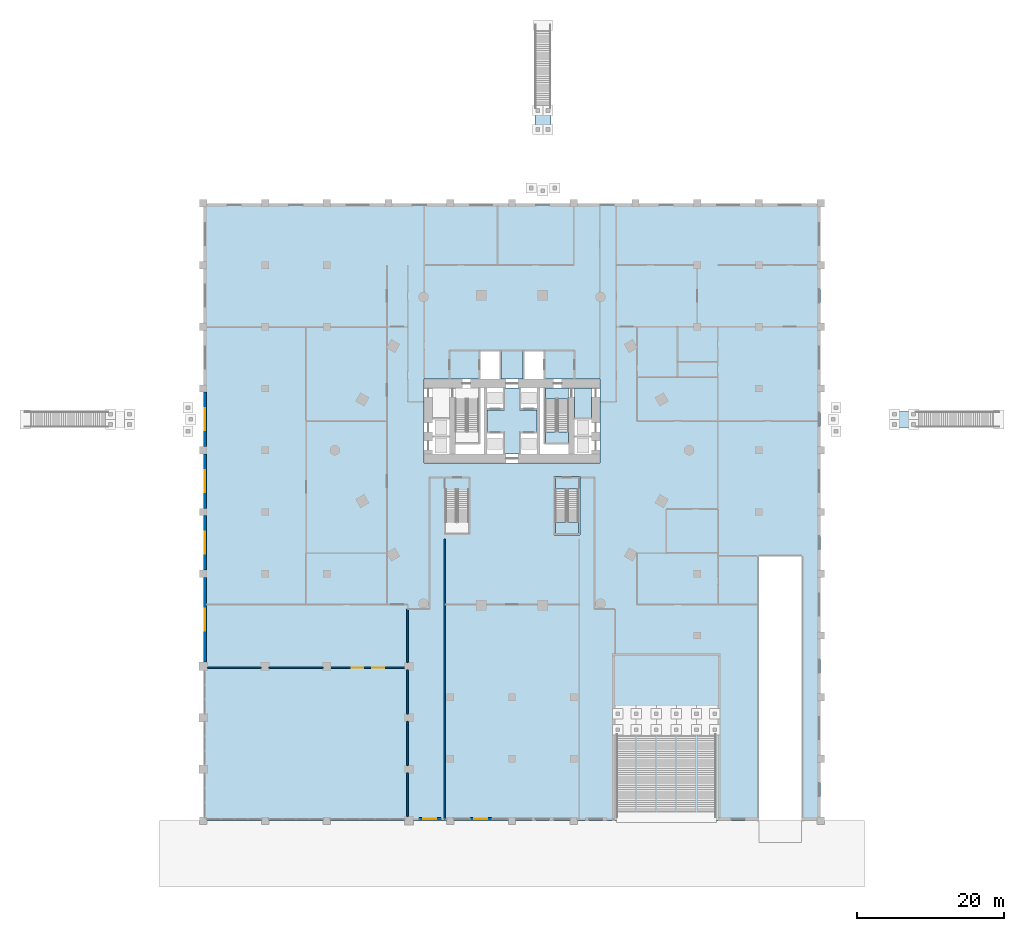
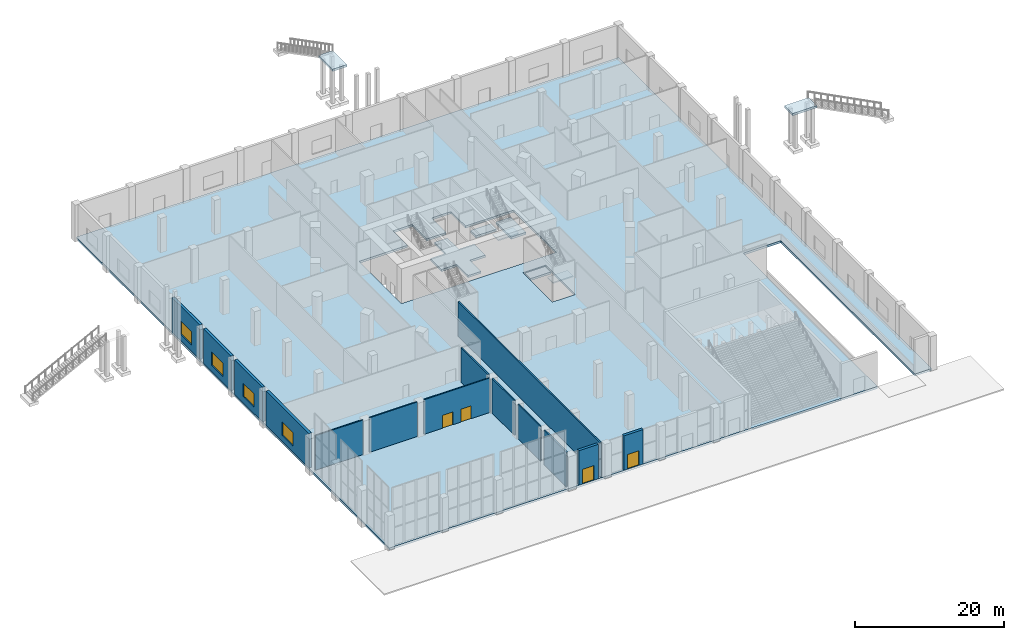
# One storey, part 12 of 25: 14 walls, 9 slabs, 4 doors, 4 windows, 8 openings, 4 elements without a shape of their own.
"""IFC4 building model written with IfcOpenShell, lengths in metres."""

from ifc_helpers import new_model, si_unit, direction, frame, frame_2d, origin, place, context, subcontext, project, spatial, polyline, rectangle, outline, extrude, material, layer, layer_set, type_object, element, fill, aggregate, save


model = new_model("IFC4")

# Units and contexts
model_context = context("Model", 3, precision=1e-05, world=origin(), true_north=direction((0.0, 1.0)))
body_context = subcontext(model_context, "Body", "Model", "MODEL_VIEW")
ifc_project = project(units=[si_unit("LENGTHUNIT", "METRE"), si_unit("AREAUNIT", "SQUARE_METRE"), si_unit("VOLUMEUNIT", "CUBIC_METRE"), si_unit("PLANEANGLEUNIT", "RADIAN"), si_unit("MASSUNIT", "GRAM", prefix="KILO")], contexts=[model_context])

# Site, building, storey
site_placement = place(None, origin())
site = spatial("IfcSite", under=ifc_project, at=site_placement, CompositionType="ELEMENT")
building_placement = place(site_placement, origin())
building = spatial("IfcBuilding", under=site, at=building_placement, Name="Ostrander Bayou Hotel Tower", CompositionType="ELEMENT")
storey_placement = place(building_placement, origin())
storey = spatial("IfcBuildingStorey", under=building, at=storey_placement, Name="L00", CompositionType="ELEMENT", Elevation=0.0)

# Slab
ifc_material_1 = material(Name="Concrete f'c 45 MPa", Category="concrete")
ifc_layer_1 = layer(ifc_material_1, 0.35009765625)
ifc_layer_set_1 = layer_set([ifc_layer_1], Name="SL2 post-tensioned flat plate 350 mm f'c 45 MPa")
slab_type_1 = type_object("IfcSlabType", Name="SL2 post-tensioned flat plate 350 mm f'c 45 MPa", PredefinedType="FLOOR", material=ifc_layer_set_1)
slab_1_placement = place(storey_placement, frame((0.0, 0.0, -0.35009765625)))
element("IfcSlab", 1, at=slab_1_placement, inside=storey, type_object=slab_type_1, Name="SL2 L00 1", PredefinedType="FLOOR", context=body_context, shape_type="SweptSolid", body=[
    extrude(outline(polyline([(42.0, 33.60009765625), (42.0, -50.39990234375), (39.39990234375, -50.39990234375), (39.39990234375, -14.39990234375), (33.60009765625, -14.39990234375), (33.60009765625, -50.39990234375), (-42.0, -50.39990234375), (-42.0, 33.60009765625), (42.0, 33.60009765625)]), holes=[polyline([(4.5, 13.60009765625), (1.5, 13.60009765625), (1.5, 9.699951171875), (-1.5, 9.699951171875), (-1.5, 13.60009765625), (-4.5, 13.60009765625), (-4.5, 9.699951171875), (-12.0, 9.699951171875), (-12.0, -1.699951171875), (12.0, -1.699951171875), (12.0, 9.699951171875), (4.5, 9.699951171875), (4.5, 13.60009765625)]), polyline([(5.699951171875, -11.5), (9.25, -11.5), (9.25, -3.60009765625), (5.699951171875, -3.60009765625), (5.699951171875, -11.5)])]), origin(), (0.0, 0.0, 1.0), 0.35009765625),
])

# Stair, slab
ifc_material_2 = material(Name="Concrete f'c 45 MPa", Category="concrete")
stair_type_1 = type_object("IfcStairType", Name="ST1 exit stair 1500 mm f'c 45 MPa", PredefinedType="HALF_TURN_STAIR", material=ifc_material_2)
stair_1_placement = place(storey_placement, origin())
stair_1 = element("IfcStair", 2, at=stair_1_placement, inside=storey, type_object=stair_type_1, Name="L00 exit stair B", PredefinedType="HALF_TURN_STAIR")
ifc_material_3 = material(Name="Concrete f'c 45 MPa", Category="concrete")
ifc_layer_2 = layer(ifc_material_3, 0.199951171875)
ifc_layer_set_2 = layer_set([ifc_layer_2], Name="SL8 stair landing 200 mm f'c 45 MPa")
slab_type_2 = type_object("IfcSlabType", Name="SL8 stair landing 200 mm f'c 45 MPa", PredefinedType="LANDING", material=ifc_layer_set_2)
slab_2_placement = place(storey_placement, frame((0.0, 0.0, 2.800048828125)))
slab_2 = element("IfcSlab", 3, at=slab_2_placement, type_object=slab_type_2, Name="STB landing 1", PredefinedType="LANDING", context=body_context, shape_type="SweptSolid", body=[
    extrude(outline(polyline([(4.550048828125, 2.52001953125), (4.550048828125, 1.0), (7.699951171875, 1.0), (7.699951171875, 2.52001953125), (4.550048828125, 2.52001953125)])), origin(), (0.0, 0.0, 1.0), 0.199951171875),
])
aggregate(stair_1, [slab_2])

stair_2_placement = place(storey_placement, origin())
stair_2 = element("IfcStair", 4, at=stair_2_placement, inside=storey, type_object=stair_type_1, Name="L00 exit stair C", PredefinedType="HALF_TURN_STAIR")
slab_3_placement = place(storey_placement, frame((0.0, 0.0, 2.800048828125)))
slab_3 = element("IfcSlab", 5, at=slab_3_placement, type_object=slab_type_2, Name="STC landing 1", PredefinedType="LANDING", context=body_context, shape_type="SweptSolid", body=[
    extrude(outline(polyline([(5.89990234375, -9.780029296875), (5.89990234375, -11.300048828125), (9.050048828125, -11.300048828125), (9.050048828125, -9.780029296875), (5.89990234375, -9.780029296875)])), origin(), (0.0, 0.0, 1.0), 0.199951171875),
])
aggregate(stair_2, [slab_3])

# Slabs
ifc_material_4 = material(Name="Concrete f'c 45 MPa", Category="concrete")
ifc_layer_3 = layer(ifc_material_4, 0.35009765625)
ifc_layer_set_3 = layer_set([ifc_layer_3], Name="SL9 podium core floor slab 350 mm f'c 45 MPa")
slab_type_3 = type_object("IfcSlabType", Name="SL9 podium core floor slab 350 mm f'c 45 MPa", PredefinedType="FLOOR", material=ifc_layer_set_3)
slab_4_placement = place(storey_placement, frame((0.0, 0.0, -0.35009765625)))
element("IfcSlab", 6, at=slab_4_placement, inside=storey, type_object=slab_type_3, Name="cslab:L00:001", PredefinedType="FLOOR", context=body_context, shape_type="SweptSolid", body=[
    extrude(outline(polyline([(-3.39990234375, 5.5), (-1.0, 5.5), (-1.0, 8.5), (1.0, 8.5), (1.0, 5.5), (3.39990234375, 5.5), (3.39990234375, 2.5), (1.0, 2.5), (1.0, -0.5), (-1.0, -0.5), (-1.0, 2.5), (-3.39990234375, 2.5), (-3.39990234375, 5.5)])), origin(), (0.0, 0.0, 1.0), 0.35009765625),
])
slab_5_placement = place(storey_placement, frame((0.0, 0.0, -0.35009765625)))
element("IfcSlab", 7, at=slab_5_placement, inside=storey, type_object=slab_type_3, Name="cslab:L00:003", PredefinedType="FLOOR", context=body_context, shape_type="SweptSolid", body=[
    extrude(outline(polyline([(10.800048828125, 4.39990234375), (10.800048828125, 8.5), (8.5, 8.5), (8.5, 4.39990234375), (10.800048828125, 4.39990234375)])), origin(), (0.0, 0.0, 1.0), 0.35009765625),
])
slab_6_placement = place(storey_placement, frame((0.0, 0.0, -0.35009765625)))
element("IfcSlab", 8, at=slab_6_placement, inside=storey, type_object=slab_type_3, Name="cslab:L00:005", PredefinedType="FLOOR", context=body_context, shape_type="SweptSolid", body=[
    extrude(outline(polyline([(7.699951171875, 7.0), (7.699951171875, 8.5), (4.550048828125, 8.5), (4.550048828125, 7.0), (7.699951171875, 7.0)])), origin(), (0.0, 0.0, 1.0), 0.35009765625),
])
slab_7_placement = place(storey_placement, frame((0.0, 0.0, -0.35009765625)))
element("IfcSlab", 9, at=slab_7_placement, inside=storey, type_object=slab_type_3, Name="cslab:L00:006", PredefinedType="FLOOR", context=body_context, shape_type="SweptSolid", body=[
    extrude(outline(polyline([(9.050048828125, -5.300048828125), (9.050048828125, -3.800048828125), (5.89990234375, -3.800048828125), (5.89990234375, -5.300048828125), (9.050048828125, -5.300048828125)])), origin(), (0.0, 0.0, 1.0), 0.35009765625),
])

# Stair, slab
ifc_material_5 = material(Name="Concrete f'c 40 MPa", Category="concrete")
stair_type_2 = type_object("IfcStairType", Name="ST11 deck stair 2200 mm", PredefinedType="STRAIGHT_RUN_STAIR", material=ifc_material_5)
stair_3_placement = place(storey_placement, origin())
stair_3 = element("IfcStair", 10, at=stair_3_placement, inside=storey, type_object=stair_type_2, Name="ST11 deck stair E", PredefinedType="STRAIGHT_RUN_STAIR")
ifc_material_6 = material(Name="Concrete f'c 40 MPa", Category="concrete")
ifc_layer_4 = layer(ifc_material_6, 0.35009765625)
ifc_layer_set_4 = layer_set([ifc_layer_4], Name="ST11 stair landing 350 mm")
slab_type_4 = type_object("IfcSlabType", Name="ST11 stair landing 350 mm", PredefinedType="LANDING", material=ifc_layer_set_4)
slab_8_placement = place(storey_placement, frame((0.0, 0.0, 5.64990234375)))
slab_8 = element("IfcSlab", 11, at=slab_8_placement, type_object=slab_type_4, Name="ST11 landing 1", PredefinedType="LANDING", context=body_context, shape_type="SweptSolid", body=[
    extrude(outline(polyline([(51.340087890625, 3.10009765625), (51.340087890625, 5.300048828125), (55.139892578125, 5.300048828125), (55.139892578125, 3.10009765625), (51.340087890625, 3.10009765625)])), origin(), (0.0, 0.0, 1.0), 0.35009765625),
])
aggregate(stair_3, [slab_8])

stair_4_placement = place(storey_placement, origin())
stair_4 = element("IfcStair", 12, at=stair_4_placement, inside=storey, type_object=stair_type_2, Name="ST11 deck stair N", PredefinedType="STRAIGHT_RUN_STAIR")
slab_9_placement = place(storey_placement, frame((0.0, 0.0, 5.64990234375)))
slab_9 = element("IfcSlab", 13, at=slab_9_placement, type_object=slab_type_4, Name="ST11 landing 1", PredefinedType="LANDING", context=body_context, shape_type="SweptSolid", body=[
    extrude(outline(polyline([(5.300048828125, 42.93994140625), (3.10009765625, 42.93994140625), (3.10009765625, 46.739990234375), (5.300048828125, 46.739990234375), (5.300048828125, 42.93994140625)])), origin(), (0.0, 0.0, 1.0), 0.35009765625),
])
aggregate(stair_4, [slab_9])

# Walls
ifc_material_7 = material(Name="Gypsum board partition", Category="finish")
ifc_layer_5 = layer(ifc_material_7, 0.175048828125)
ifc_layer_set_5 = layer_set([ifc_layer_5], Name="PT4 corridor wall 175 mm, 1 hour")
wall_type_1 = type_object("IfcWallType", Name="PT4 corridor wall 175 mm, 1 hour", PredefinedType="PARTITIONING", material=ifc_layer_set_5)
wall_1_placement = place(storey_placement, frame((-41.5, -29.60009765625, 0.0), z_axis=(0.0, 0.0, 1.0), x_axis=(1.0, 0.0, 0.0)))
element("IfcWall", 14, at=wall_1_placement, inside=storey, type_object=wall_type_1, Name="sw:L00:001", PredefinedType="PARTITIONING", context=body_context, shape_type="SweptSolid", body=[
    extrude(rectangle(XDim=7.39990234375, YDim=0.175048828125, at=frame_2d((3.699951171875, 0.0))), origin(), (0.0, 0.0, 1.0), 5.64990234375),
])
wall_2_placement = place(storey_placement, frame((-33.10009765625, -29.60009765625, 0.0), z_axis=(0.0, 0.0, 1.0), x_axis=(1.0, 0.0, 0.0)))
element("IfcWall", 15, at=wall_2_placement, inside=storey, type_object=wall_type_1, Name="sw:L00:002", PredefinedType="PARTITIONING", context=body_context, shape_type="SweptSolid", body=[
    extrude(rectangle(XDim=7.400146484375, YDim=0.175048828125, at=frame_2d((3.7001953125, 0.0))), origin(), (0.0, 0.0, 1.0), 5.64990234375),
])

# Wall, openings, doors
wall_3_placement = place(storey_placement, frame((-24.699951171875, -29.60009765625, 0.0), z_axis=(0.0, 0.0, 1.0), x_axis=(1.0, 0.0, 0.0)))
wall_3 = element("IfcWall", 16, at=wall_3_placement, inside=storey, type_object=wall_type_1, Name="sw:L00:003", PredefinedType="PARTITIONING", context=body_context, shape_type="SweptSolid", body=[
    extrude(rectangle(XDim=10.199951171875, YDim=0.175048828125, at=frame_2d((5.10009765625, 0.0))), origin(), (0.0, 0.0, 1.0), 5.64990234375),
])
opening_1_placement = place(wall_3_placement, frame((2.889892578125, 0.0, 0.0)))
opening_1 = element("IfcOpeningElement", 17, at=opening_1_placement, cuts=wall_3, Name="Opening T00-200", PredefinedType="OPENING", context=body_context, shape_type="SweptSolid", body=[
    extrude(rectangle(XDim=1.60009765625, YDim=2.10009765625, at=frame_2d((0.800048828125, 1.050048828125))), frame((0.0, 0.08740234375, 0.0), z_axis=(0.0, -1.0, 0.0), x_axis=(1.0, 0.0, 0.0)), (0.0, 0.0, 1.0), 0.175048828125),
])
opening_2_placement = place(wall_3_placement, frame((5.7099609375, 0.0, 0.0)))
opening_2 = element("IfcOpeningElement", 18, at=opening_2_placement, cuts=wall_3, Name="Opening T00-201", PredefinedType="OPENING", context=body_context, shape_type="SweptSolid", body=[
    extrude(rectangle(XDim=1.60009765625, YDim=2.10009765625, at=frame_2d((0.800048828125, 1.050048828125))), frame((0.0, 0.08740234375, 0.0), z_axis=(0.0, -1.0, 0.0), x_axis=(1.0, 0.0, 0.0)), (0.0, 0.0, 1.0), 0.175048828125),
])
ifc_material_8 = material(Name="Timber door leaf", Category="wood")
door_type_1 = type_object("IfcDoorType", Name="D13 double door 1600 x 2100 mm, 1 hour", OperationType="SINGLE_SWING_LEFT", PredefinedType="DOOR", material=ifc_material_8)
door_1_placement = place(opening_1_placement, origin())
door_1 = element("IfcDoor", 19, at=door_1_placement, inside=storey, type_object=door_type_1, Name="dr:L00:200", OperationType="DOUBLE_DOOR_SINGLE_SWING", OverallHeight=2.10009765625, OverallWidth=1.60009765625, PredefinedType="DOOR", context=body_context, shape_type="SweptSolid", body=[
    extrude(rectangle(XDim=1.60009765625, YDim=2.10009765625, at=frame_2d((0.800048828125, 1.050048828125))), frame((0.0, 0.02490234375, 0.0), z_axis=(0.0, -1.0, 0.0), x_axis=(1.0, 0.0, 0.0)), (0.0, 0.0, 1.0), 0.050048828125),
])
fill(opening_1, door_1)
door_2_placement = place(opening_2_placement, origin())
door_2 = element("IfcDoor", 20, at=door_2_placement, inside=storey, type_object=door_type_1, Name="dr:L00:201", OperationType="DOUBLE_DOOR_SINGLE_SWING", OverallHeight=2.10009765625, OverallWidth=1.60009765625, PredefinedType="DOOR", context=body_context, shape_type="SweptSolid", body=[
    extrude(rectangle(XDim=1.60009765625, YDim=2.10009765625, at=frame_2d((0.800048828125, 1.050048828125))), frame((0.0, 0.02490234375, 0.0), z_axis=(0.0, -1.0, 0.0), x_axis=(1.0, 0.0, 0.0)), (0.0, 0.0, 1.0), 0.050048828125),
])
fill(opening_2, door_2)

# Walls
ifc_material_9 = material(Name="Masonry block", Category="masonry")
ifc_layer_6 = layer(ifc_material_9, 0.199951171875)
ifc_layer_set_6 = layer_set([ifc_layer_6], Name="PT5 stair enclosure wall 200 mm masonry, 2 hour")
wall_type_2 = type_object("IfcWallType", Name="PT5 stair enclosure wall 200 mm masonry, 2 hour", PredefinedType="PARTITIONING", material=ifc_layer_set_6)
for number, where, z_axis, x_axis, name in (
    (21, (-14.199951171875, -49.89990234375, 0.0), (0.0, 0.0, 1.0), (0.0, 1.0, 0.0), "sw:L00:053"),
    (22, (-14.199951171875, -42.89990234375, 0.0), (0.0, 0.0, 1.0), (0.0, 1.0, 0.0), "sw:L00:054"),
    (23, (-14.199951171875, -35.89990234375, 0.0), (0.0, 0.0, 1.0), (0.0, 1.0, 0.0), "sw:L00:055"),
):
    element("IfcWall", number, at=place(storey_placement, frame(where, z_axis=z_axis, x_axis=x_axis)), inside=storey, type_object=wall_type_2, Name=name, PredefinedType="PARTITIONING", context=body_context, shape_type="SweptSolid", body=[
        extrude(rectangle(XDim=6.0, YDim=0.199951171875, at=frame_2d((3.0, 0.0))), origin(), (0.0, 0.0, 1.0), 5.64990234375),
    ])
wall_4_placement = place(storey_placement, frame((-14.199951171875, -28.89990234375, 0.0), z_axis=(0.0, 0.0, 1.0), x_axis=(0.0, 1.0, 0.0)))
element("IfcWall", 24, at=wall_4_placement, inside=storey, type_object=wall_type_2, Name="sw:L00:056", PredefinedType="PARTITIONING", context=body_context, shape_type="SweptSolid", body=[
    extrude(rectangle(XDim=7.2998046875, YDim=0.199951171875, at=frame_2d((3.64990234375, 0.0))), origin(), (0.0, 0.0, 1.0), 5.64990234375),
])
wall_5_placement = place(storey_placement, frame((-9.14990234375, -50.180908203125, 0.0), z_axis=(0.0, 0.0, 1.0), x_axis=(0.0, 1.0, 0.0)))
element("IfcWall", 25, at=wall_5_placement, inside=storey, type_object=wall_type_2, Name="sw:L00:058", PredefinedType="PARTITIONING", context=body_context, shape_type="SweptSolid", body=[
    extrude(rectangle(XDim=38.100830078125, YDim=0.199951171875, at=frame_2d((19.05029296875, 0.0))), origin(), (0.0, 0.0, 1.0), 5.64990234375),
])

# Wall, opening, door
ifc_material_10 = material(Name="Reconstituted stone on masonry backing", Category="masonry")
ifc_layer_7 = layer(ifc_material_10, 0.39990234375)
ifc_layer_set_7 = layer_set([ifc_layer_7], Name="PW1 stone cladding wall 400 mm")
wall_type_3 = type_object("IfcWallType", Name="PW1 stone cladding wall 400 mm", PredefinedType="SOLIDWALL", material=ifc_layer_set_7)
wall_6_placement = place(storey_placement, frame((-2.699951171875, -50.199951171875, 0.0), z_axis=(0.0, 0.0, 1.0), x_axis=(-1.0, 0.0, 0.0)))
wall_6 = element("IfcWall", 26, at=wall_6_placement, inside=storey, type_object=wall_type_3, Name="pw:L00:4", PredefinedType="SOLIDWALL", context=body_context, shape_type="SweptSolid", body=[
    extrude(rectangle(XDim=3.0, YDim=0.39990234375, at=frame_2d((1.5, 0.0))), origin(), (0.0, 0.0, 1.0), 5.64990234375),
])
opening_3_placement = place(wall_6_placement, frame((0.64990234375, 0.0, 0.0)))
opening_3 = element("IfcOpeningElement", 27, at=opening_3_placement, cuts=wall_6, Name="Opening E4", PredefinedType="OPENING", context=body_context, shape_type="SweptSolid", body=[
    extrude(rectangle(XDim=1.800048828125, YDim=2.39990234375, at=frame_2d((0.89990234375, 1.199951171875))), frame((0.0, 0.199951171875, 0.0), z_axis=(0.0, -1.0, 0.0), x_axis=(1.0, 0.0, 0.0)), (0.0, 0.0, 1.0), 0.39990234375),
])
ifc_material_11 = material(Name="Aluminium and clear glass", Category="aluminium")
door_type_2 = type_object("IfcDoorType", Name="ED1 entrance door 1800 mm", OperationType="DOUBLE_DOOR_SINGLE_SWING", PredefinedType="DOOR", material=ifc_material_11)
door_3_placement = place(opening_3_placement, origin())
door_3 = element("IfcDoor", 28, at=door_3_placement, inside=storey, type_object=door_type_2, Name="ED1 E4", OperationType="SINGLE_SWING_LEFT", OverallHeight=2.39990234375, OverallWidth=1.800048828125, PredefinedType="DOOR", context=body_context, shape_type="SweptSolid", body=[
    extrude(rectangle(XDim=1.800048828125, YDim=2.39990234375, at=frame_2d((0.89990234375, 1.199951171875))), frame((0.0, 0.02490234375, 0.0), z_axis=(0.0, -1.0, 0.0), x_axis=(1.0, 0.0, 0.0)), (0.0, 0.0, 1.0), 0.050048828125),
])
fill(opening_3, door_3)

wall_7_placement = place(storey_placement, frame((-9.64990234375, -50.199951171875, 0.0), z_axis=(0.0, 0.0, 1.0), x_axis=(-1.0, 0.0, 0.0)))
wall_7 = element("IfcWall", 29, at=wall_7_placement, inside=storey, type_object=wall_type_3, Name="pw:L00:5", PredefinedType="SOLIDWALL", context=body_context, shape_type="SweptSolid", body=[
    extrude(rectangle(XDim=3.0, YDim=0.39990234375, at=frame_2d((1.5, 0.0))), origin(), (0.0, 0.0, 1.0), 5.64990234375),
])
opening_4_placement = place(wall_7_placement, frame((0.64990234375, 0.0, 0.0)))
opening_4 = element("IfcOpeningElement", 30, at=opening_4_placement, cuts=wall_7, Name="Opening E5", PredefinedType="OPENING", context=body_context, shape_type="SweptSolid", body=[
    extrude(rectangle(XDim=1.800048828125, YDim=2.39990234375, at=frame_2d((0.89990234375, 1.199951171875))), frame((0.0, 0.199951171875, 0.0), z_axis=(0.0, -1.0, 0.0), x_axis=(1.0, 0.0, 0.0)), (0.0, 0.0, 1.0), 0.39990234375),
])
door_4_placement = place(opening_4_placement, origin())
door_4 = element("IfcDoor", 31, at=door_4_placement, inside=storey, type_object=door_type_2, Name="ED1 E5", OperationType="SINGLE_SWING_LEFT", OverallHeight=2.39990234375, OverallWidth=1.800048828125, PredefinedType="DOOR", context=body_context, shape_type="SweptSolid", body=[
    extrude(rectangle(XDim=1.800048828125, YDim=2.39990234375, at=frame_2d((0.89990234375, 1.199951171875))), frame((0.0, 0.02490234375, 0.0), z_axis=(0.0, -1.0, 0.0), x_axis=(1.0, 0.0, 0.0)), (0.0, 0.0, 1.0), 0.050048828125),
])
fill(opening_4, door_4)

# Wall, opening, window
wall_8_placement = place(storey_placement, frame((-41.800048828125, -28.800048828125, 0.0), z_axis=(0.0, 0.0, 1.0), x_axis=(0.0, 1.0, 0.0)))
wall_8 = element("IfcWall", 32, at=wall_8_placement, inside=storey, type_object=wall_type_3, Name="pw:L00:32", PredefinedType="SOLIDWALL", context=body_context, shape_type="SweptSolid", body=[
    extrude(rectangle(XDim=11.5, YDim=0.39990234375, at=frame_2d((5.75, 0.0))), origin(), (0.0, 0.0, 1.0), 5.64990234375),
])
opening_5_placement = place(wall_8_placement, frame((4.25, 0.0, 1.0)))
opening_5 = element("IfcOpeningElement", 33, at=opening_5_placement, cuts=wall_8, Name="Opening W6", PredefinedType="OPENING", context=body_context, shape_type="SweptSolid", body=[
    extrude(rectangle(XDim=3.0, YDim=2.199951171875, at=frame_2d((1.5, 1.10009765625))), frame((0.0, 0.199951171875, 0.0), z_axis=(0.0, -1.0, 0.0), x_axis=(1.0, 0.0, 0.0)), (0.0, 0.0, 1.0), 0.39990234375),
])
ifc_material_12 = material(Name="Aluminium and clear glass", Category="aluminium")
window_type = type_object("IfcWindowType", Name="W6 podium window 3000 mm", PartitioningType="SINGLE_PANEL", PredefinedType="WINDOW", material=ifc_material_12)
window_1_placement = place(opening_5_placement, origin())
window_1 = element("IfcWindow", 34, at=window_1_placement, inside=storey, type_object=window_type, Name="W6 L00 32", OverallHeight=2.199951171875, OverallWidth=3.0, PartitioningType="SINGLE_PANEL", PredefinedType="WINDOW", context=body_context, shape_type="SweptSolid", body=[
    extrude(rectangle(XDim=3.0, YDim=2.199951171875, at=frame_2d((1.5, 1.10009765625))), frame((0.0, 0.030029296875, 0.0), z_axis=(0.0, -1.0, 0.0), x_axis=(1.0, 0.0, 0.0)), (0.0, 0.0, 1.0), 0.06005859375),
])
fill(opening_5, window_1)

wall_9_placement = place(storey_placement, frame((-41.800048828125, -16.300048828125, 0.0), z_axis=(0.0, 0.0, 1.0), x_axis=(0.0, 1.0, 0.0)))
wall_9 = element("IfcWall", 35, at=wall_9_placement, inside=storey, type_object=wall_type_3, Name="pw:L00:33", PredefinedType="SOLIDWALL", context=body_context, shape_type="SweptSolid", body=[
    extrude(rectangle(XDim=7.400146484375, YDim=0.39990234375, at=frame_2d((3.7001953125, 0.0))), origin(), (0.0, 0.0, 1.0), 5.64990234375),
])
opening_6_placement = place(wall_9_placement, frame((2.199951171875, 0.0, 1.0)))
opening_6 = element("IfcOpeningElement", 36, at=opening_6_placement, cuts=wall_9, Name="Opening W6", PredefinedType="OPENING", context=body_context, shape_type="SweptSolid", body=[
    extrude(rectangle(XDim=3.0, YDim=2.199951171875, at=frame_2d((1.5, 1.10009765625))), frame((0.0, 0.199951171875, 0.0), z_axis=(0.0, -1.0, 0.0), x_axis=(1.0, 0.0, 0.0)), (0.0, 0.0, 1.0), 0.39990234375),
])
window_2_placement = place(opening_6_placement, origin())
window_2 = element("IfcWindow", 37, at=window_2_placement, inside=storey, type_object=window_type, Name="W6 L00 33", OverallHeight=2.199951171875, OverallWidth=3.0, PartitioningType="SINGLE_PANEL", PredefinedType="WINDOW", context=body_context, shape_type="SweptSolid", body=[
    extrude(rectangle(XDim=3.0, YDim=2.199951171875, at=frame_2d((1.5, 1.10009765625))), frame((0.0, 0.030029296875, 0.0), z_axis=(0.0, -1.0, 0.0), x_axis=(1.0, 0.0, 0.0)), (0.0, 0.0, 1.0), 0.06005859375),
])
fill(opening_6, window_2)

wall_10_placement = place(storey_placement, frame((-41.800048828125, -7.89990234375, 0.0), z_axis=(0.0, 0.0, 1.0), x_axis=(0.0, 1.0, 0.0)))
wall_10 = element("IfcWall", 38, at=wall_10_placement, inside=storey, type_object=wall_type_3, Name="pw:L00:34", PredefinedType="SOLIDWALL", context=body_context, shape_type="SweptSolid", body=[
    extrude(rectangle(XDim=7.39990234375, YDim=0.39990234375, at=frame_2d((3.699951171875, 0.0))), origin(), (0.0, 0.0, 1.0), 5.64990234375),
])
opening_7_placement = place(wall_10_placement, frame((2.199951171875, 0.0, 1.0)))
opening_7 = element("IfcOpeningElement", 39, at=opening_7_placement, cuts=wall_10, Name="Opening W6", PredefinedType="OPENING", context=body_context, shape_type="SweptSolid", body=[
    extrude(rectangle(XDim=3.0, YDim=2.199951171875, at=frame_2d((1.5, 1.10009765625))), frame((0.0, 0.199951171875, 0.0), z_axis=(0.0, -1.0, 0.0), x_axis=(1.0, 0.0, 0.0)), (0.0, 0.0, 1.0), 0.39990234375),
])
window_3_placement = place(opening_7_placement, origin())
window_3 = element("IfcWindow", 40, at=window_3_placement, inside=storey, type_object=window_type, Name="W6 L00 34", OverallHeight=2.199951171875, OverallWidth=3.0, PartitioningType="SINGLE_PANEL", PredefinedType="WINDOW", context=body_context, shape_type="SweptSolid", body=[
    extrude(rectangle(XDim=3.0, YDim=2.199951171875, at=frame_2d((1.5, 1.10009765625))), frame((0.0, 0.030029296875, 0.0), z_axis=(0.0, -1.0, 0.0), x_axis=(1.0, 0.0, 0.0)), (0.0, 0.0, 1.0), 0.06005859375),
])
fill(opening_7, window_3)

wall_11_placement = place(storey_placement, frame((-41.800048828125, 0.5, 0.0), z_axis=(0.0, 0.0, 1.0), x_axis=(0.0, 1.0, 0.0)))
wall_11 = element("IfcWall", 41, at=wall_11_placement, inside=storey, type_object=wall_type_3, Name="pw:L00:35", PredefinedType="SOLIDWALL", context=body_context, shape_type="SweptSolid", body=[
    extrude(rectangle(XDim=7.39990234375, YDim=0.39990234375, at=frame_2d((3.699951171875, 0.0))), origin(), (0.0, 0.0, 1.0), 5.64990234375),
])
opening_8_placement = place(wall_11_placement, frame((2.199951171875, 0.0, 1.0)))
opening_8 = element("IfcOpeningElement", 42, at=opening_8_placement, cuts=wall_11, Name="Opening W6", PredefinedType="OPENING", context=body_context, shape_type="SweptSolid", body=[
    extrude(rectangle(XDim=3.0, YDim=2.199951171875, at=frame_2d((1.5, 1.10009765625))), frame((0.0, 0.199951171875, 0.0), z_axis=(0.0, -1.0, 0.0), x_axis=(1.0, 0.0, 0.0)), (0.0, 0.0, 1.0), 0.39990234375),
])
window_4_placement = place(opening_8_placement, origin())
window_4 = element("IfcWindow", 43, at=window_4_placement, inside=storey, type_object=window_type, Name="W6 L00 35", OverallHeight=2.199951171875, OverallWidth=3.0, PartitioningType="SINGLE_PANEL", PredefinedType="WINDOW", context=body_context, shape_type="SweptSolid", body=[
    extrude(rectangle(XDim=3.0, YDim=2.199951171875, at=frame_2d((1.5, 1.10009765625))), frame((0.0, 0.030029296875, 0.0), z_axis=(0.0, -1.0, 0.0), x_axis=(1.0, 0.0, 0.0)), (0.0, 0.0, 1.0), 0.06005859375),
])
fill(opening_8, window_4)

save(model, "model.ifc")
